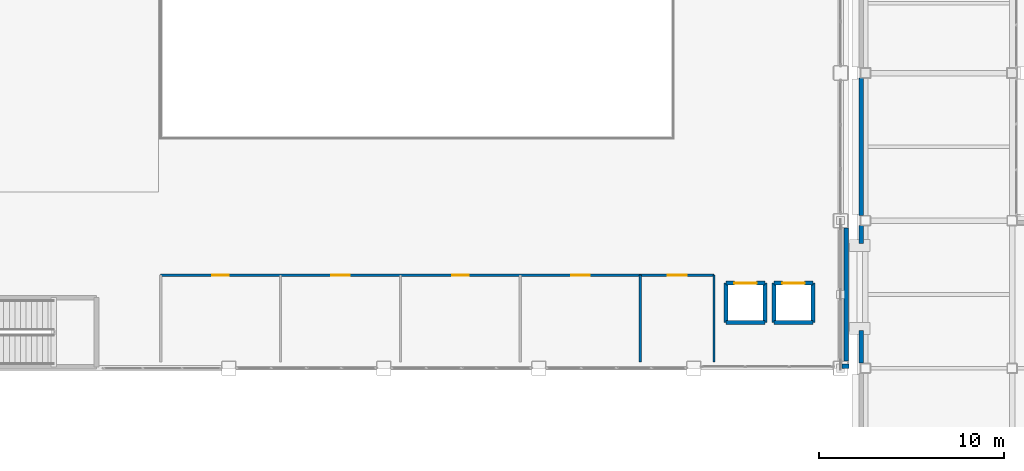
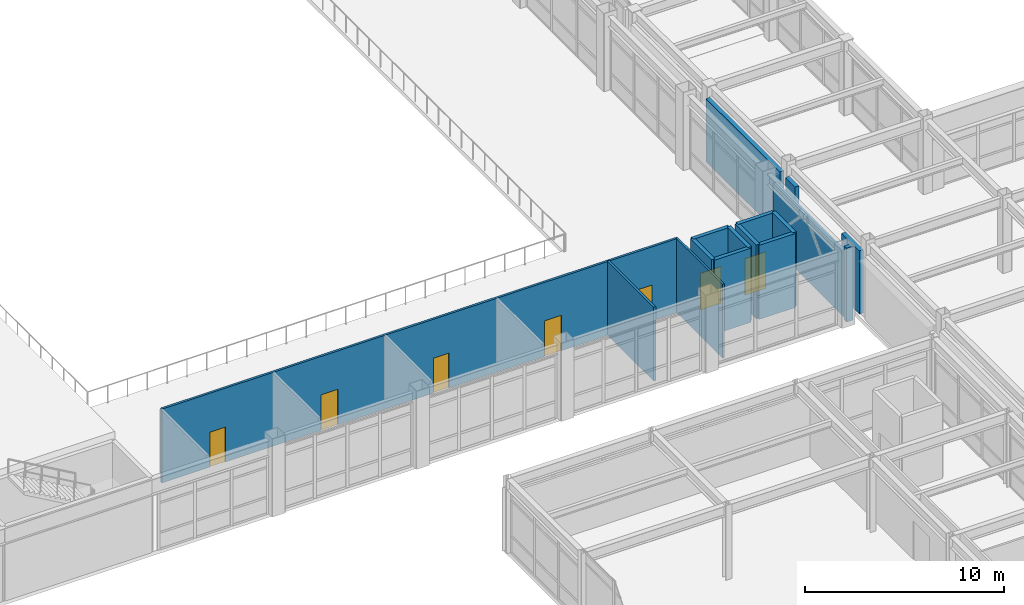
# One storey, part 132 of 154: 16 walls, 7 doors, 7 openings.
"""IFC4 building model written with IfcOpenShell, lengths in metres."""

from ifc_helpers import new_model, si_unit, direction, frame, frame_2d, origin, place, context, subcontext, project, spatial, rectangle, extrude, material, layer, layer_set, type_object, element, fill, save


model = new_model("IFC4")

# Units and contexts
model_context = context("Model", 3, precision=1e-05, world=origin(), true_north=direction((0.0, 1.0)))
body_context = subcontext(model_context, "Body", "Model", "MODEL_VIEW")
ifc_project = project(units=[si_unit("LENGTHUNIT", "METRE"), si_unit("AREAUNIT", "SQUARE_METRE"), si_unit("VOLUMEUNIT", "CUBIC_METRE"), si_unit("PLANEANGLEUNIT", "RADIAN"), si_unit("MASSUNIT", "GRAM", prefix="KILO")], contexts=[model_context])

# Site, building, storey
site_placement = place(None, origin())
site = spatial("IfcSite", under=ifc_project, at=site_placement, CompositionType="ELEMENT")
building_placement = place(site_placement, origin())
building = spatial("IfcBuilding", under=site, at=building_placement, Name="Kazehara Bluff Congress Hotel", CompositionType="ELEMENT")
storey_placement = place(building_placement, frame((0.0, 0.0, 10.199951171875)))
storey = spatial("IfcBuildingStorey", under=building, at=storey_placement, Name="L02", CompositionType="ELEMENT", Elevation=10.199951171875)

# Walls
ifc_material_1 = material(Name="Precast concrete C40/50", Category="concrete")
ifc_layer_1 = layer(ifc_material_1, 0.239990234375)
ifc_layer_set_1 = layer_set([ifc_layer_1], Name="Precast concrete C40/50")
wall_type_1 = type_object("IfcWallType", Name="TP-EW-240", PredefinedType="SOLIDWALL", material=ifc_layer_set_1)
wall_1_placement = place(storey_placement, frame((58.669921875, 48.85009765625, 0.0), z_axis=(0.0, 0.0, 1.0), x_axis=(0.0, 1.0, 0.0)))
element("IfcWall", 1, at=wall_1_placement, inside=storey, type_object=wall_type_1, Name="L02 braced-bay recessed facade wall 5", PredefinedType="SOLIDWALL", context=body_context, shape_type="SweptSolid", body=[
    extrude(rectangle(XDim=7.199951171875, YDim=0.239990234375, at=frame_2d((3.60009765625, 0.0))), origin(), (0.0, 0.0, 1.0), 3.885009765625),
])
wall_2_placement = place(storey_placement, frame((58.800048828125, 48.550048828125, 0.0), z_axis=(0.0, 0.0, 1.0), x_axis=(-1.0, 0.0, 0.0)))
element("IfcWall", 2, at=wall_2_placement, inside=storey, type_object=wall_type_1, Name="L02 V1 perimeter spandrel pier 628", PredefinedType="SOLIDWALL", context=body_context, shape_type="SweptSolid", body=[
    extrude(rectangle(XDim=0.360107421875, YDim=0.239990234375, at=frame_2d((0.18017578125, 0.0))), origin(), (0.0, 0.0, 1.0), 4.545166015625),
])
wall_3_placement = place(storey_placement, frame((59.469970703125, 55.199951171875, 0.0), z_axis=(0.0, 0.0, 1.0), x_axis=(0.0, 1.0, 0.0)))
element("IfcWall", 3, at=wall_3_placement, inside=storey, type_object=wall_type_1, Name="L02 V4 perimeter spandrel pier 652", PredefinedType="SOLIDWALL", context=body_context, shape_type="SweptSolid", body=[
    extrude(rectangle(XDim=0.97509765625, YDim=0.239990234375, at=frame_2d((0.487548828125, 0.0))), origin(), (0.0, 0.0, 1.0), 3.885009765625),
])
wall_4_placement = place(storey_placement, frame((59.469970703125, 56.72509765625, 0.0), z_axis=(0.0, 0.0, 1.0), x_axis=(0.0, 1.0, 0.0)))
element("IfcWall", 4, at=wall_4_placement, inside=storey, type_object=wall_type_1, Name="L02 V4 perimeter spandrel pier 653", PredefinedType="SOLIDWALL", context=body_context, shape_type="SweptSolid", body=[
    extrude(rectangle(XDim=7.449951171875, YDim=0.239990234375, at=frame_2d((3.72509765625, 0.0))), origin(), (0.0, 0.0, 1.0), 3.885009765625),
])
wall_5_placement = place(storey_placement, frame((59.469970703125, 48.72509765625, 0.0), z_axis=(0.0, 0.0, 1.0), x_axis=(0.0, 1.0, 0.0)))
element("IfcWall", 5, at=wall_5_placement, inside=storey, type_object=wall_type_1, Name="L02 V4 perimeter spandrel pier 661", PredefinedType="SOLIDWALL", context=body_context, shape_type="SweptSolid", body=[
    extrude(rectangle(XDim=1.77490234375, YDim=0.239990234375, at=frame_2d((0.887451171875, 0.0))), origin(), (0.0, 0.0, 1.0), 3.885009765625),
])
ifc_material_2 = material(Name="Fire-rated gypsum board stud partition")
ifc_layer_2 = layer(ifc_material_2, 0.110107421875)
ifc_layer_set_2 = layer_set([ifc_layer_2], Name="Fire-rated gypsum board stud partition")
wall_type_2 = type_object("IfcWallType", Name="TP-PT-110", PredefinedType="PARTITIONING", material=ifc_layer_set_2)
wall_6_placement = place(storey_placement, frame((51.5, 48.800048828125, 0.0), z_axis=(0.0, 0.0, 1.0), x_axis=(0.0, 1.0, 0.0)))
element("IfcWall", 6, at=wall_6_placement, inside=storey, type_object=wall_type_2, Name="L02 partition PT-110 228", PredefinedType="PARTITIONING", context=body_context, shape_type="SweptSolid", body=[
    extrude(rectangle(XDim=4.699951171875, YDim=0.110107421875, at=frame_2d((2.35009765625, 0.0))), origin(), (0.0, 0.0, 1.0), 4.545166015625),
])

# Wall, openings, doors
ifc_material_3 = material(Name="Fire-rated gypsum board stud partition")
ifc_layer_3 = layer(ifc_material_3, 0.1298828125)
ifc_layer_set_3 = layer_set([ifc_layer_3], Name="Fire-rated gypsum board stud partition")
wall_type_3 = type_object("IfcWallType", Name="TP-PT-130", PredefinedType="PARTITIONING", material=ifc_layer_set_3)
wall_7_placement = place(storey_placement, frame((21.5, 53.5, 0.0), z_axis=(0.0, 0.0, 1.0), x_axis=(1.0, 0.0, 0.0)))
wall_7 = element("IfcWall", 7, at=wall_7_placement, inside=storey, type_object=wall_type_3, Name="L02 partition PT-130 207", PredefinedType="PARTITIONING", context=body_context, shape_type="SweptSolid", body=[
    extrude(rectangle(XDim=30.0, YDim=0.1298828125, at=frame_2d((15.0, 0.0))), origin(), (0.0, 0.0, 1.0), 4.545166015625),
])
opening_1_placement = place(wall_7_placement, frame((2.800048828125, 0.0, 0.0)))
opening_1 = element("IfcOpeningElement", 8, at=opening_1_placement, cuts=wall_7, Name="Opening ID-01", PredefinedType="OPENING", context=body_context, shape_type="SweptSolid", body=[
    extrude(rectangle(XDim=0.89990234375, YDim=2.14990234375, at=frame_2d((0.449951171875, 1.074951171875))), frame((0.0, 0.074951171875, 0.0), z_axis=(0.0, -1.0, 0.0), x_axis=(1.0, 0.0, 0.0)), (0.0, 0.0, 1.0), 0.14990234375),
])
opening_2_placement = place(wall_7_placement, frame((9.25, 0.0, 0.0)))
opening_2 = element("IfcOpeningElement", 9, at=opening_2_placement, cuts=wall_7, Name="Opening ID-03", PredefinedType="OPENING", context=body_context, shape_type="SweptSolid", body=[
    extrude(rectangle(XDim=1.0, YDim=2.179931640625, at=frame_2d((0.5, 1.08984375))), frame((0.0, 0.074951171875, 0.0), z_axis=(0.0, -1.0, 0.0), x_axis=(1.0, 0.0, 0.0)), (0.0, 0.0, 1.0), 0.14990234375),
])
opening_3_placement = place(wall_7_placement, frame((15.800048828125, 0.0, 0.0)))
opening_3 = element("IfcOpeningElement", 10, at=opening_3_placement, cuts=wall_7, Name="Opening ID-01", PredefinedType="OPENING", context=body_context, shape_type="SweptSolid", body=[
    extrude(rectangle(XDim=0.89990234375, YDim=2.14990234375, at=frame_2d((0.449951171875, 1.074951171875))), frame((0.0, 0.074951171875, 0.0), z_axis=(0.0, -1.0, 0.0), x_axis=(1.0, 0.0, 0.0)), (0.0, 0.0, 1.0), 0.14990234375),
])
opening_4_placement = place(wall_7_placement, frame((22.25, 0.0, 0.0)))
opening_4 = element("IfcOpeningElement", 11, at=opening_4_placement, cuts=wall_7, Name="Opening ID-03", PredefinedType="OPENING", context=body_context, shape_type="SweptSolid", body=[
    extrude(rectangle(XDim=1.0, YDim=2.179931640625, at=frame_2d((0.5, 1.08984375))), frame((0.0, 0.074951171875, 0.0), z_axis=(0.0, -1.0, 0.0), x_axis=(1.0, 0.0, 0.0)), (0.0, 0.0, 1.0), 0.14990234375),
])
opening_5_placement = place(wall_7_placement, frame((27.47509765625, 0.0, 0.0)))
opening_5 = element("IfcOpeningElement", 12, at=opening_5_placement, cuts=wall_7, Name="Opening ID-02", PredefinedType="OPENING", context=body_context, shape_type="SweptSolid", body=[
    extrude(rectangle(XDim=1.050048828125, YDim=2.199951171875, at=frame_2d((0.52490234375, 1.10009765625))), frame((0.0, 0.074951171875, 0.0), z_axis=(0.0, -1.0, 0.0), x_axis=(1.0, 0.0, 0.0)), (0.0, 0.0, 1.0), 0.14990234375),
])
ifc_material_4 = material(Name="Architectural oak veneer leaf")
door_type_1 = type_object("IfcDoorType", Name="TP-ID-01", OperationType="NOTDEFINED", PredefinedType="DOOR", material=ifc_material_4)
door_1_placement = place(opening_1_placement, origin())
door_1 = element("IfcDoor", 13, at=door_1_placement, inside=storey, type_object=door_type_1, Name="L02 Simultaneous Interpretation Suite 1 door", OperationType="SINGLE_SWING_RIGHT", OverallHeight=2.14990234375, OverallWidth=0.89990234375, PredefinedType="DOOR", context=body_context, shape_type="SweptSolid", body=[
    extrude(rectangle(XDim=0.89990234375, YDim=2.14990234375, at=frame_2d((0.449951171875, 1.074951171875))), frame((0.0, 0.02490234375, 0.0), z_axis=(0.0, -1.0, 0.0), x_axis=(1.0, 0.0, 0.0)), (0.0, 0.0, 1.0), 0.050048828125),
])
fill(opening_1, door_1)
door_2_placement = place(opening_3_placement, origin())
door_2 = element("IfcDoor", 14, at=door_2_placement, inside=storey, type_object=door_type_1, Name="L02 Simultaneous Interpretation Suite 3 door", OperationType="SINGLE_SWING_RIGHT", OverallHeight=2.14990234375, OverallWidth=0.89990234375, PredefinedType="DOOR", context=body_context, shape_type="SweptSolid", body=[
    extrude(rectangle(XDim=0.89990234375, YDim=2.14990234375, at=frame_2d((0.449951171875, 1.074951171875))), frame((0.0, 0.02490234375, 0.0), z_axis=(0.0, -1.0, 0.0), x_axis=(1.0, 0.0, 0.0)), (0.0, 0.0, 1.0), 0.050048828125),
])
fill(opening_3, door_2)
ifc_material_5 = material(Name="Architectural oak veneer leaf")
door_type_2 = type_object("IfcDoorType", Name="TP-ID-02", OperationType="NOTDEFINED", PredefinedType="DOOR", material=ifc_material_5)
door_3_placement = place(opening_5_placement, origin())
door_3 = element("IfcDoor", 15, at=door_3_placement, inside=storey, type_object=door_type_2, Name="L02 Upper Tier Accessible WC door", OperationType="SINGLE_SWING_RIGHT", OverallHeight=2.199951171875, OverallWidth=1.050048828125, PredefinedType="DOOR", context=body_context, shape_type="SweptSolid", body=[
    extrude(rectangle(XDim=1.050048828125, YDim=2.199951171875, at=frame_2d((0.52490234375, 1.10009765625))), frame((0.0, 0.02490234375, 0.0), z_axis=(0.0, -1.0, 0.0), x_axis=(1.0, 0.0, 0.0)), (0.0, 0.0, 1.0), 0.050048828125),
])
fill(opening_5, door_3)
ifc_material_6 = material(Name="Architectural oak veneer leaf")
door_type_3 = type_object("IfcDoorType", Name="TP-ID-03", OperationType="NOTDEFINED", PredefinedType="DOOR", material=ifc_material_6)
door_4_placement = place(opening_2_placement, origin())
door_4 = element("IfcDoor", 16, at=door_4_placement, inside=storey, type_object=door_type_3, Name="L02 Simultaneous Interpretation Suite 2 door", OperationType="SINGLE_SWING_LEFT", OverallHeight=2.179931640625, OverallWidth=1.0, PredefinedType="DOOR", context=body_context, shape_type="SweptSolid", body=[
    extrude(rectangle(XDim=1.0, YDim=2.179931640625, at=frame_2d((0.5, 1.08984375))), frame((0.0, 0.02490234375, 0.0), z_axis=(0.0, -1.0, 0.0), x_axis=(1.0, 0.0, 0.0)), (0.0, 0.0, 1.0), 0.050048828125),
])
fill(opening_2, door_4)
door_5_placement = place(opening_4_placement, origin())
door_5 = element("IfcDoor", 17, at=door_5_placement, inside=storey, type_object=door_type_3, Name="L02 Simultaneous Interpretation Suite 4 door", OperationType="SINGLE_SWING_LEFT", OverallHeight=2.179931640625, OverallWidth=1.0, PredefinedType="DOOR", context=body_context, shape_type="SweptSolid", body=[
    extrude(rectangle(XDim=1.0, YDim=2.179931640625, at=frame_2d((0.5, 1.08984375))), frame((0.0, 0.02490234375, 0.0), z_axis=(0.0, -1.0, 0.0), x_axis=(1.0, 0.0, 0.0)), (0.0, 0.0, 1.0), 0.050048828125),
])
fill(opening_4, door_5)

# Wall
wall_8_placement = place(storey_placement, frame((47.5, 48.800048828125, 0.0), z_axis=(0.0, 0.0, 1.0), x_axis=(0.0, 1.0, 0.0)))
element("IfcWall", 18, at=wall_8_placement, inside=storey, type_object=wall_type_3, Name="L02 partition PT-130 226", PredefinedType="PARTITIONING", context=body_context, shape_type="SweptSolid", body=[
    extrude(rectangle(XDim=4.699951171875, YDim=0.1298828125, at=frame_2d((2.35009765625, 0.0))), origin(), (0.0, 0.0, 1.0), 4.545166015625),
])

# Wall, opening, door
ifc_material_7 = material(Name="Concrete C40/50", Category="concrete")
ifc_layer_4 = layer(ifc_material_7, 0.219970703125)
ifc_layer_set_4 = layer_set([ifc_layer_4], Name="Concrete C40/50")
wall_type_4 = type_object("IfcWallType", Name="TP-SW-RC", PredefinedType="SHEAR", material=ifc_layer_set_4)
wall_9_placement = place(storey_placement, frame((52.139892578125, 53.06005859375, 0.0), z_axis=(0.0, 0.0, 1.0), x_axis=(1.0, 0.0, 0.0)))
wall_9 = element("IfcWall", 19, at=wall_9_placement, inside=storey, type_object=wall_type_4, Name="L02 EL-C1 lift shaft wall +Y", PredefinedType="SHEAR", context=body_context, shape_type="SweptSolid", body=[
    extrude(rectangle(XDim=2.1201171875, YDim=0.219970703125, at=frame_2d((1.06005859375, 0.0))), origin(), (0.0, 0.0, 1.0), 4.56005859375),
])
opening_6_placement = place(wall_9_placement, frame((0.4599609375, 0.0, 0.0)))
opening_6 = element("IfcOpeningElement", 20, at=opening_6_placement, cuts=wall_9, Name="Opening LD-02", PredefinedType="OPENING", context=body_context, shape_type="SweptSolid", body=[
    extrude(rectangle(XDim=1.199951171875, YDim=2.25, at=frame_2d((0.60009765625, 1.125))), frame((0.0, 0.119873046875, 0.0), z_axis=(0.0, -1.0, 0.0), x_axis=(1.0, 0.0, 0.0)), (0.0, 0.0, 1.0), 0.239990234375),
])
ifc_material_8 = material(Name="Fire-rated painted steel leaf", Category="steel")
door_type_4 = type_object("IfcDoorType", Name="TP-LD-02", OperationType="SLIDING_TO_LEFT", PredefinedType="DOOR", material=ifc_material_8)
door_6_placement = place(opening_6_placement, origin())
door_6 = element("IfcDoor", 21, at=door_6_placement, inside=storey, type_object=door_type_4, Name="L02 EL-C1 elevator landing door", OperationType="SLIDING_TO_LEFT", OverallHeight=2.25, OverallWidth=1.199951171875, PredefinedType="DOOR", context=body_context, shape_type="SweptSolid", body=[
    extrude(rectangle(XDim=1.199951171875, YDim=2.25, at=frame_2d((0.60009765625, 1.125))), frame((0.0, 0.02490234375, 0.0), z_axis=(0.0, -1.0, 0.0), x_axis=(1.0, 0.0, 0.0)), (0.0, 0.0, 1.0), 0.050048828125),
])
fill(opening_6, door_6)

# Walls
for number, where, z_axis, x_axis, name in (
    (22, (52.139892578125, 50.93994140625, 0.0), (0.0, 0.0, 1.0), (1.0, 0.0, 0.0), "L02 EL-C1 lift shaft wall -Y"),
    (23, (54.260009765625, 50.93994140625, 0.0), (0.0, 0.0, 1.0), (0.0, 1.0, 0.0), "L02 EL-C1 lift shaft wall +X"),
    (24, (52.139892578125, 50.93994140625, 0.0), (0.0, 0.0, 1.0), (0.0, 1.0, 0.0), "L02 EL-C1 lift shaft wall -X"),
):
    element("IfcWall", number, at=place(storey_placement, frame(where, z_axis=z_axis, x_axis=x_axis)), inside=storey, type_object=wall_type_4, Name=name, PredefinedType="SHEAR", context=body_context, shape_type="SweptSolid", body=[
        extrude(rectangle(XDim=2.1201171875, YDim=0.219970703125, at=frame_2d((1.06005859375, 0.0))), origin(), (0.0, 0.0, 1.0), 4.56005859375),
    ])

# Wall, opening, door
wall_10_placement = place(storey_placement, frame((54.739990234375, 53.06005859375, 0.0), z_axis=(0.0, 0.0, 1.0), x_axis=(1.0, 0.0, 0.0)))
wall_10 = element("IfcWall", 25, at=wall_10_placement, inside=storey, type_object=wall_type_4, Name="L02 EL-C2 lift shaft wall +Y", PredefinedType="SHEAR", context=body_context, shape_type="SweptSolid", body=[
    extrude(rectangle(XDim=2.1201171875, YDim=0.219970703125, at=frame_2d((1.06005859375, 0.0))), origin(), (0.0, 0.0, 1.0), 4.56005859375),
])
opening_7_placement = place(wall_10_placement, frame((0.4599609375, 0.0, 0.0)))
opening_7 = element("IfcOpeningElement", 26, at=opening_7_placement, cuts=wall_10, Name="Opening LD-02", PredefinedType="OPENING", context=body_context, shape_type="SweptSolid", body=[
    extrude(rectangle(XDim=1.199951171875, YDim=2.25, at=frame_2d((0.60009765625, 1.125))), frame((0.0, 0.119873046875, 0.0), z_axis=(0.0, -1.0, 0.0), x_axis=(1.0, 0.0, 0.0)), (0.0, 0.0, 1.0), 0.239990234375),
])
door_7_placement = place(opening_7_placement, origin())
door_7 = element("IfcDoor", 27, at=door_7_placement, inside=storey, type_object=door_type_4, Name="L02 EL-C2 elevator landing door", OperationType="SLIDING_TO_LEFT", OverallHeight=2.25, OverallWidth=1.199951171875, PredefinedType="DOOR", context=body_context, shape_type="SweptSolid", body=[
    extrude(rectangle(XDim=1.199951171875, YDim=2.25, at=frame_2d((0.60009765625, 1.125))), frame((0.0, 0.02490234375, 0.0), z_axis=(0.0, -1.0, 0.0), x_axis=(1.0, 0.0, 0.0)), (0.0, 0.0, 1.0), 0.050048828125),
])
fill(opening_7, door_7)

# Walls
for number, where, z_axis, x_axis, name in (
    (28, (54.739990234375, 50.93994140625, 0.0), (0.0, 0.0, 1.0), (1.0, 0.0, 0.0), "L02 EL-C2 lift shaft wall -Y"),
    (29, (56.860107421875, 50.93994140625, 0.0), (0.0, 0.0, 1.0), (0.0, 1.0, 0.0), "L02 EL-C2 lift shaft wall +X"),
    (30, (54.739990234375, 50.93994140625, 0.0), (0.0, 0.0, 1.0), (0.0, 1.0, 0.0), "L02 EL-C2 lift shaft wall -X"),
):
    element("IfcWall", number, at=place(storey_placement, frame(where, z_axis=z_axis, x_axis=x_axis)), inside=storey, type_object=wall_type_4, Name=name, PredefinedType="SHEAR", context=body_context, shape_type="SweptSolid", body=[
        extrude(rectangle(XDim=2.1201171875, YDim=0.219970703125, at=frame_2d((1.06005859375, 0.0))), origin(), (0.0, 0.0, 1.0), 4.56005859375),
    ])

save(model, "model.ifc")
